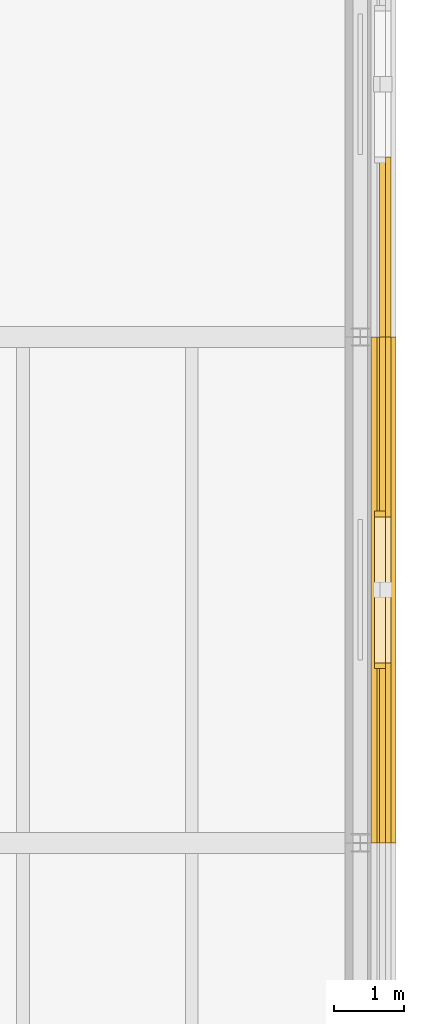
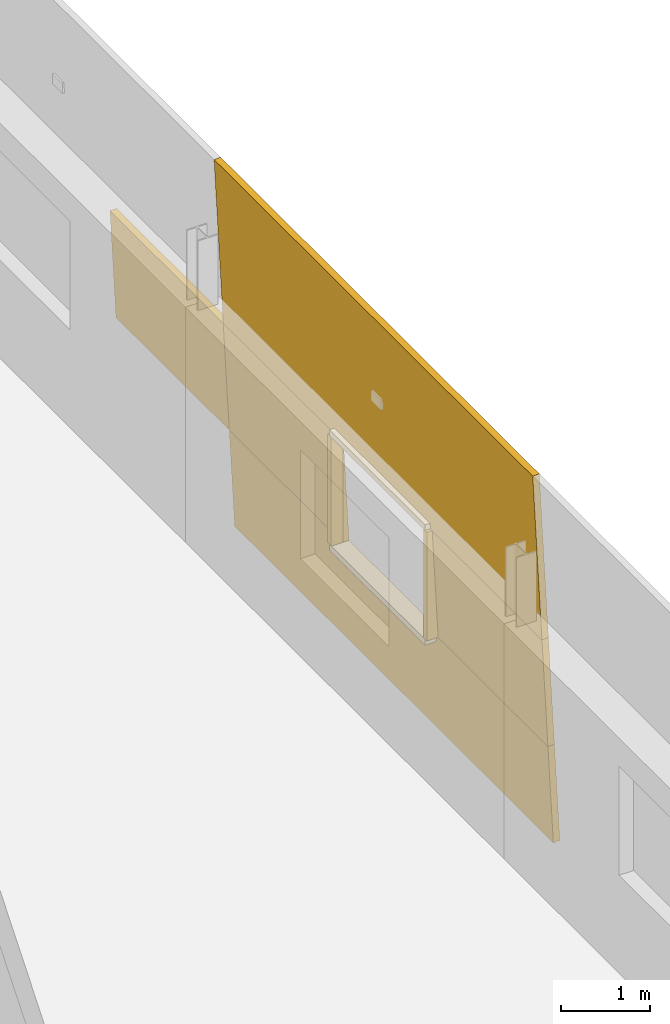
# One storey, part 113 of 115: 9 coverings.
"""IFC4 building model written with IfcOpenShell, lengths in metres."""

import ifcopenshell
import ifcopenshell.guid

model = None  # the IFC model being written
_history = None  # IfcOwnerHistory: only IFC2X3 demands one
_inside = {}  # id of a spatial element -> (the spatial element, [elements in it])
_under = {}  # id of a project, library or spatial element -> (it, [spatial elements below it])
_declared = {}  # id of a project -> (the project, [libraries it declares])
_typed = {}  # id of a type object -> (the type object, [elements of that type])
_made_of = {}  # id of a material, layer set ... -> (it, [elements and type objects made of it])


def new_model(schema):
    """Start an empty IFC model of exactly this schema.

    Asked for "IFC4X3", IfcOpenShell would pick the latest addendum, in which some entities
    have other attributes; the version numbers below select the first issue.
    IFC2X3 requires an IfcOwnerHistory on every rooted entity: one is made here for all.
    """
    global model, _history
    if schema == "IFC4X3":
        model = ifcopenshell.file(schema_version=(4, 3, 0, 0))
    else:
        model = ifcopenshell.file(schema=schema)
    _inside.clear()
    _under.clear()
    _declared.clear()
    _typed.clear()
    _made_of.clear()
    _history = None
    if model.schema == "IFC2X3":
        org = make("IfcOrganization", Name="unknown")
        user = make(
            "IfcPersonAndOrganization",
            ThePerson=make("IfcPerson", FamilyName="unknown"),
            TheOrganization=org,
        )
        app = make(
            "IfcApplication",
            ApplicationDeveloper=org,
            Version="unknown",
            ApplicationFullName="unknown",
            ApplicationIdentifier="unknown",
        )
        _history = make(
            "IfcOwnerHistory",
            OwningUser=user,
            OwningApplication=app,
            ChangeAction="ADDED",
            CreationDate=0,
        )
    return model


def make(cls, **values):
    """One entity of the class cls with the attributes given. An attribute that is None is left unset."""
    return model.create_entity(
        cls, **{name: value for name, value in values.items() if value is not None}
    )


def rooted(cls, **values):
    """An entity with a GlobalId (a new one), such as an element, a storey or a relation."""
    return make(cls, GlobalId=ifcopenshell.guid.new(), OwnerHistory=_history, **values)


def si_unit(unit_type, name, prefix=None):
    """IfcSIUnit, for example si_unit("LENGTHUNIT", "METRE", prefix="MILLI")."""
    return make("IfcSIUnit", UnitType=unit_type, Prefix=prefix, Name=name)


def assignment(units):
    """IfcUnitAssignment: the units of a project."""
    return None if units is None else make("IfcUnitAssignment", Units=units)


def point(xyz):
    """IfcCartesianPoint."""
    return None if xyz is None else make("IfcCartesianPoint", Coordinates=xyz)


def direction(xyz):
    """IfcDirection."""
    return None if xyz is None else make("IfcDirection", DirectionRatios=xyz)


def frame(location, z_axis=None, x_axis=None):
    """IfcAxis2Placement3D, a coordinate frame: its origin and axes. An axis left out is left unset."""
    return make(
        "IfcAxis2Placement3D",
        Location=point(location),
        Axis=direction(z_axis),
        RefDirection=direction(x_axis),
    )


def origin():
    """The frame at (0, 0, 0) with its axes left unset."""
    return frame((0.0, 0.0, 0.0))


def place(relative_to, where):
    """IfcLocalPlacement: puts the frame where relative to a parent placement (None: the world)."""
    return make(
        "IfcLocalPlacement", PlacementRelTo=relative_to, RelativePlacement=where
    )


def context(
    kind, dimensions, precision=None, world=None, true_north=None, identifier=None
):
    """IfcGeometricRepresentationContext, for example the 3D "Model" context."""
    return make(
        "IfcGeometricRepresentationContext",
        ContextIdentifier=identifier,
        ContextType=kind,
        CoordinateSpaceDimension=dimensions,
        Precision=precision,
        WorldCoordinateSystem=world,
        TrueNorth=true_north,
    )


def subcontext(parent, identifier, kind, view, scale=None):
    """IfcGeometricRepresentationSubContext, for example "Body" below "Model"."""
    return make(
        "IfcGeometricRepresentationSubContext",
        ContextIdentifier=identifier,
        ContextType=kind,
        ParentContext=parent,
        TargetScale=scale,
        TargetView=view,
    )


def project(units=None, contexts=None):
    """IfcProject with its units and contexts."""
    return rooted(
        "IfcProject",
        Name="project",
        RepresentationContexts=contexts,
        UnitsInContext=assignment(units),
    )


def spatial(cls, under=None, at=None, **own):
    """A site, building, storey or space (cls), placed at a placement, below another one or the project."""
    s = rooted(cls, ObjectPlacement=at, **own)
    if under is not None:
        _under.setdefault(under.id(), (under, []))[1].append(s)
    return s


def polyline(points):
    """IfcPolyline through the points."""
    return make("IfcPolyline", Points=[point(p) for p in points])


def outline(outer, holes=None, kind="AREA"):
    """IfcArbitraryClosedProfileDef: a profile drawn as a closed curve; with holes, ...WithVoids."""
    if holes is None:
        return make("IfcArbitraryClosedProfileDef", ProfileType=kind, OuterCurve=outer)
    return make(
        "IfcArbitraryProfileDefWithVoids",
        ProfileType=kind,
        OuterCurve=outer,
        InnerCurves=holes,
    )


def extrude(swept, where, along, depth):
    """IfcExtrudedAreaSolid: the profile swept, set in the frame where, extruded along a direction by depth."""
    return make(
        "IfcExtrudedAreaSolid",
        SweptArea=swept,
        Position=where,
        ExtrudedDirection=direction(along),
        Depth=depth,
    )


def shape(context_of_items, identifier, shape_type, items):
    """IfcShapeRepresentation: the items that make up one representation, for example the "Body"."""
    return make(
        "IfcShapeRepresentation",
        ContextOfItems=context_of_items,
        RepresentationIdentifier=identifier,
        RepresentationType=shape_type,
        Items=items,
    )


def material(Name=None, Category=None):
    """IfcMaterial."""
    return make("IfcMaterial", Name=Name, Category=Category)


def layer(
    of_material, thickness, ventilated=None, Name=None, Category=None, Priority=None
):
    """IfcMaterialLayer: one layer of a wall or slab, of a material (None: an air gap)."""
    return make(
        "IfcMaterialLayer",
        Material=of_material,
        LayerThickness=thickness,
        IsVentilated=ventilated,
        Name=Name,
        Category=Category,
        Priority=Priority,
    )


def layer_set(layers, Name=None):
    """IfcMaterialLayerSet."""
    return make("IfcMaterialLayerSet", MaterialLayers=layers, LayerSetName=Name)


def made_of(thing, what):
    """Note that an element or type object is made of a material, layer set ...; save() writes the relation."""
    if what is not None:
        _made_of.setdefault(what.id(), (what, []))[1].append(thing)
    return thing


def type_object(cls, material=None, **own):
    """A type object (cls), such as IfcWallType, which elements share."""
    return made_of(rooted(cls, **own), material)


def element(
    cls,
    number,
    at=None,
    inside=None,
    cuts=None,
    type_object=None,
    material=None,
    context=None,
    identifier="Body",
    shape_type=None,
    held_by="IfcProductDefinitionShape",
    body=None,
    shapes=None,
    **own,
):
    """One element of the class cls, such as IfcWall. Its Tag is "e" and its number.

    at: its placement. inside: the storey or other place that contains it. cuts: it is an
    opening in that element (IfcRelVoidsElement). A single representation is given by context,
    identifier, shape_type and body (its items); several are given by shapes. held_by: the class
    of the entity that holds the representations. save() writes the other relations.
    """
    e = rooted(cls, Tag="e%d" % number, ObjectPlacement=at, **own)
    if body is not None:
        shapes = [shape(context, identifier, shape_type, body)]
    if shapes is not None:
        e.Representation = make(held_by, Representations=shapes)
    if inside is not None:
        _inside.setdefault(inside.id(), (inside, []))[1].append(e)
    if cuts is not None:
        rooted(
            "IfcRelVoidsElement", RelatingBuildingElement=cuts, RelatedOpeningElement=e
        )
    if type_object is not None:
        _typed.setdefault(type_object.id(), (type_object, []))[1].append(e)
    return made_of(e, material)


def aggregate(whole, parts):
    """IfcRelAggregates: a whole, such as a stair, and the parts it consists of."""
    return rooted("IfcRelAggregates", RelatingObject=whole, RelatedObjects=parts)


def save(model, path):
    """Write the relations noted so far, then the file.

    IfcRelAggregates (storeys below a building ...), IfcRelContainedInSpatialStructure (elements
    in a storey), IfcRelDefinesByType, IfcRelAssociatesMaterial and IfcRelDeclares: one each for
    every whole, place, type object, material and project.
    """
    for whole, parts in _under.values():
        aggregate(whole, parts)
    for where, things in _inside.values():
        rooted(
            "IfcRelContainedInSpatialStructure",
            RelatedElements=things,
            RelatingStructure=where,
        )
    for kind, things in _typed.values():
        rooted("IfcRelDefinesByType", RelatedObjects=things, RelatingType=kind)
    for what, things in _made_of.values():
        rooted("IfcRelAssociatesMaterial", RelatedObjects=things, RelatingMaterial=what)
    for by, libraries in _declared.values():
        rooted("IfcRelDeclares", RelatingContext=by, RelatedDefinitions=libraries)
    model.write(path)


model = new_model("IFC4")

# Units and contexts
model_context = context("Model", 3, precision=1e-05, world=origin(), true_north=direction((0.0, 1.0)))
body_context = subcontext(model_context, "Body", "Model", "MODEL_VIEW")
ifc_project = project(units=[si_unit("LENGTHUNIT", "METRE"), si_unit("AREAUNIT", "SQUARE_METRE"), si_unit("VOLUMEUNIT", "CUBIC_METRE"), si_unit("PLANEANGLEUNIT", "RADIAN"), si_unit("MASSUNIT", "GRAM", prefix="KILO")], contexts=[model_context])

# Site, building, storey
site_placement = place(None, origin())
site = spatial("IfcSite", under=ifc_project, at=site_placement, CompositionType="ELEMENT")
building_placement = place(site_placement, origin())
building = spatial("IfcBuilding", under=site, at=building_placement, Name="Narikvali Park Central Library", CompositionType="ELEMENT")
storey_placement = place(building_placement, frame((0.0, 0.0, 10.199951171875)))
storey = spatial("IfcBuildingStorey", under=building, at=storey_placement, Name="L02", CompositionType="ELEMENT", Elevation=10.199951171875)

# Coverings
ifc_material = material(Name="White Honed Limestone Cladding", Category="masonry")
ifc_layer_1 = layer(ifc_material, 0.0849609375, Name="White Honed Limestone Cladding")
ifc_layer_set_1 = layer_set([ifc_layer_1], Name="White Honed Limestone Cladding")
covering_type_1 = type_object("IfcCoveringType", Name="Battered White Limestone Facade Cladding Panel", PredefinedType="CLADDING", material=ifc_layer_set_1)
covering_1_placement = place(storey_placement, frame((166.1083984375, 86.39990234375, 0.0), z_axis=(0.998646611858, 0.0, 0.052009082137), x_axis=(0.0, 1.0, 0.0)))
element("IfcCovering", 1, at=covering_1_placement, inside=storey, type_object=covering_type_1, Name="V3 L02 E Battered Limestone Spandrel B02", PredefinedType="CLADDING", context=body_context, shape_type="SweptSolid", body=[
    extrude(outline(polyline([(0.0, 0.0), (7.2001953125, 0.0), (7.2001953125, 1.3519273386791146), (0.0, 1.3519273386791146), (0.0, 0.0)])), origin(), (0.0, 0.0, -1.0), 0.0849609375),
])
covering_2_placement = place(storey_placement, frame((165.9599609375, 86.39990234375, 2.85009765625), z_axis=(0.998644637883, 0.0, 0.052046971362), x_axis=(0.0, 1.0, 0.0)))
element("IfcCovering", 2, at=covering_2_placement, inside=storey, type_object=covering_type_1, Name="V3 L02 E Battered Limestone Lintel B02", PredefinedType="CLADDING", context=body_context, shape_type="SweptSolid", body=[
    extrude(outline(polyline([(0.0, 0.0), (7.2001953125, 0.0), (7.2001953125, 2.303170458113399), (0.0, 2.303170458113399), (0.0, 0.0)])), origin(), (0.0, 0.0, -1.0), 0.0849609375),
])
for number, where, z_axis, x_axis, name in (
    (3, (166.0380859375, 86.39990234375, 1.35009765625), (0.998646416446, 0.0, 0.05201283419), (0.0, 1.0, 0.0), "V3 L02 E Battered Limestone Jamb Pier L B02"),
    (4, (166.0380859375, 91.0400390625, 1.35009765625), (0.998646416446, 0.0, 0.05201283419), (0.0, 1.0, 0.0), "V3 L02 E Battered Limestone Jamb Pier R B02"),
):
    element("IfcCovering", number, at=place(storey_placement, frame(where, z_axis=z_axis, x_axis=x_axis)), inside=storey, type_object=covering_type_1, Name=name, PredefinedType="CLADDING", context=body_context, shape_type="SweptSolid", body=[
        extrude(outline(polyline([(0.0, 0.0), (2.56005859375, 0.0), (2.56005859375, 1.5020331273394072), (0.0, 1.5020331273394072), (0.0, 0.0)])), origin(), (0.0, 0.0, -1.0), 0.0849609375),
    ])
covering_3_placement = place(storey_placement, frame((166.0380859375, 93.60009765625, 1.35009765625), z_axis=(0.998646416446, 0.0, 0.05201283419), x_axis=(0.0, 1.0, 0.0)))
element("IfcCovering", 5, at=covering_3_placement, inside=storey, type_object=covering_type_1, Name="V3 L02 E Battered Limestone Jamb Pier L B03", PredefinedType="CLADDING", context=body_context, shape_type="SweptSolid", body=[
    extrude(outline(polyline([(0.0, 0.0), (2.559814453125, 0.0), (2.559814453125, 1.5020331273394074), (0.0, 1.5020331273394074), (0.0, 0.0)])), origin(), (0.0, 0.0, -1.0), 0.0849609375),
])
ifc_layer_2 = layer(ifc_material, 0.080078125, Name="White Honed Limestone Cladding")
ifc_layer_set_2 = layer_set([ifc_layer_2], Name="White Honed Limestone Cladding")
covering_type_2 = type_object("IfcCoveringType", Name="Deep Carved White Limestone Window Reveal", PredefinedType="CLADDING", material=ifc_layer_set_2)
covering_4_placement = place(storey_placement, frame((0.0, 0.0, 2.85009765625)))
element("IfcCovering", 6, at=covering_4_placement, inside=storey, type_object=covering_type_2, Name="Deep Stone Reveal Head V3-RVL-L02-E-B02", PredefinedType="CLADDING", context=body_context, shape_type="SweptSolid", body=[
    extrude(outline(polyline([(165.804931640625, 88.919921875), (165.804931640625, 91.080078125), (165.9599609375, 91.080078125), (165.9599609375, 88.919921875), (165.804931640625, 88.919921875)])), origin(), (0.0, 0.0, 1.0), 0.079833984375),
])
covering_5_placement = place(storey_placement, frame((0.0, 0.0, 1.27001953125)))
element("IfcCovering", 7, at=covering_5_placement, inside=storey, type_object=covering_type_2, Name="Deep Stone Reveal Sill V3-RVL-L02-E-B02", PredefinedType="CLADDING", context=body_context, shape_type="SweptSolid", body=[
    extrude(outline(polyline([(165.804931640625, 88.919921875), (165.804931640625, 91.080078125), (166.0380859375, 91.080078125), (166.0380859375, 88.919921875), (165.804931640625, 88.919921875)])), origin(), (0.0, 0.0, 1.0), 0.080078125),
])
covering_6_placement = place(storey_placement, frame((0.0, 0.0, 1.35009765625)))
element("IfcCovering", 8, at=covering_6_placement, inside=storey, type_object=covering_type_2, Name="Deep Stone Reveal Jamb L V3-RVL-L02-E-B02", PredefinedType="CLADDING", context=body_context, shape_type="SweptSolid", body=[
    extrude(outline(polyline([(165.804931640625, 88.8798828125), (165.804931640625, 88.9599609375), (165.9599609375, 88.9599609375), (165.9599609375, 88.8798828125), (165.804931640625, 88.8798828125)])), origin(), (0.0, 0.0, 1.0), 1.5),
])
covering_7_placement = place(storey_placement, frame((0.0, 0.0, 1.35009765625)))
element("IfcCovering", 9, at=covering_7_placement, inside=storey, type_object=covering_type_2, Name="Deep Stone Reveal Jamb R V3-RVL-L02-E-B02", PredefinedType="CLADDING", context=body_context, shape_type="SweptSolid", body=[
    extrude(outline(polyline([(165.804931640625, 91.0400390625), (165.804931640625, 91.1201171875), (165.9599609375, 91.1201171875), (165.9599609375, 91.0400390625), (165.804931640625, 91.0400390625)])), origin(), (0.0, 0.0, 1.0), 1.5),
])

save(model, "model.ifc")
